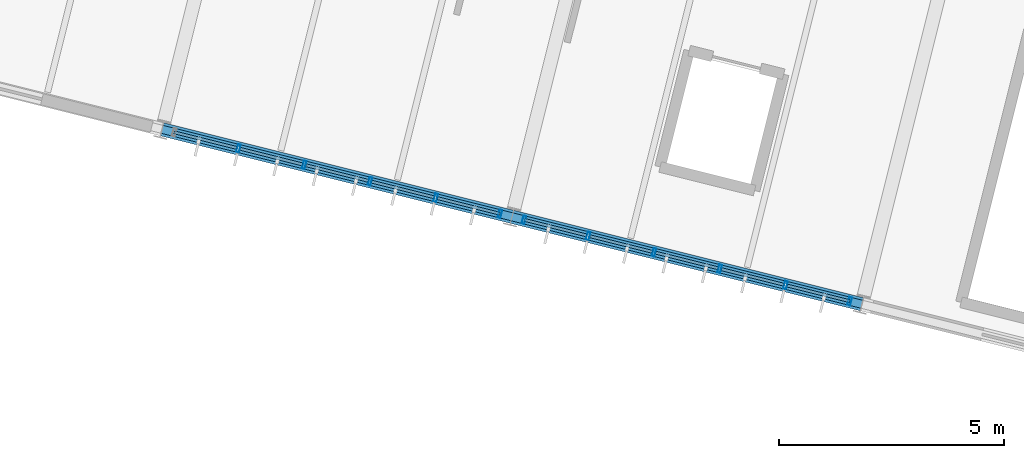
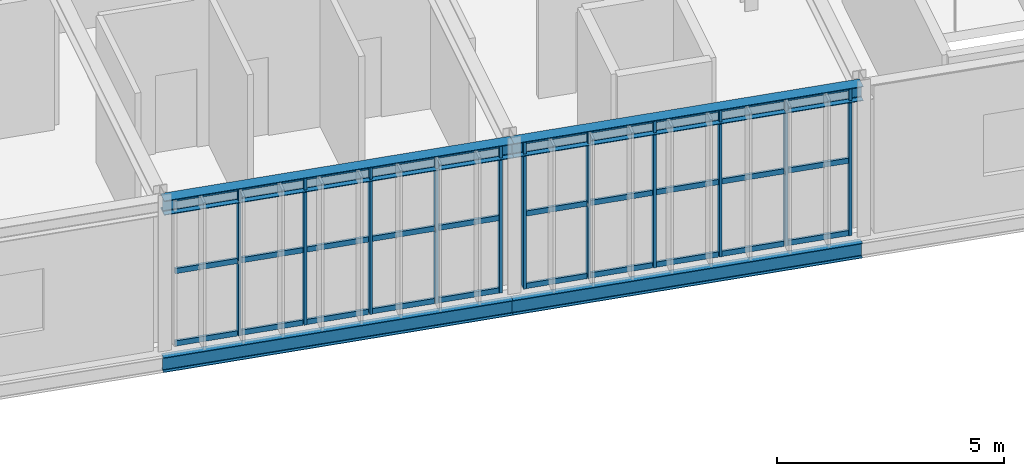
# One storey, part 8 of 30: 41 members, 4 beams, 2 elements without a shape of their own.
"""IFC4 building model written with IfcOpenShell, lengths in metres."""

from ifc_helpers import new_model, si_unit, derived_unit, direction, frame, origin, origin_2d, place, context, subcontext, project, spatial, hollow_rectangle, i_section, extrude, material, material_profile, profile_set, type_object, element, aggregate, save


model = new_model("IFC4")

# Units and contexts
model_context = context("Model", 3, precision=1e-05, world=origin(), true_north=direction((0.0, 1.0)))
body_context = subcontext(model_context, "Body", "Model", "MODEL_VIEW")
ifc_project = project(units=[si_unit("LENGTHUNIT", "METRE"), si_unit("AREAUNIT", "SQUARE_METRE"), si_unit("VOLUMEUNIT", "CUBIC_METRE"), si_unit("PLANEANGLEUNIT", "RADIAN"), si_unit("MASSUNIT", "GRAM", prefix="KILO"), si_unit("THERMODYNAMICTEMPERATUREUNIT", "KELVIN"), si_unit("TIMEUNIT", "SECOND"), derived_unit("THERMALTRANSMITTANCEUNIT", [(si_unit("MASSUNIT", "GRAM", prefix="KILO"), 1), (si_unit("THERMODYNAMICTEMPERATUREUNIT", "KELVIN"), -1), (si_unit("TIMEUNIT", "SECOND"), -3)])], contexts=[model_context])

# Site, building, storey
site_placement = place(None, origin())
site = spatial("IfcSite", under=ifc_project, at=site_placement, CompositionType="ELEMENT")
building_placement = place(site_placement, origin())
building = spatial("IfcBuilding", under=site, at=building_placement, Name="Cambertide Market Hall", CompositionType="ELEMENT")
storey_placement = place(building_placement, frame((0.0, 0.0, 14.10009765625)))
storey = spatial("IfcBuildingStorey", under=building, at=storey_placement, Name="L04", CompositionType="ELEMENT", Elevation=14.10009765625)

# Curtain wall, members
ifc_material_1 = material(Name="Marine Anodized Aluminium 6063-T6 AA25", Category="aluminium")
curtain_wall_type = type_object("IfcCurtainWallType", Name="Herb Conservatory Crown Curtain Wall", PredefinedType="USERDEFINED", material=ifc_material_1)
curtain_wall_1_placement = place(storey_placement, origin())
curtain_wall_1 = element("IfcCurtainWall", 1, at=curtain_wall_1_placement, inside=storey, type_object=curtain_wall_type, Name="Level 4 Curtain Wall CW-V4S-L04-5", ObjectType="UNITIZED CURTAIN WALL", PredefinedType="USERDEFINED")
ifc_material_2 = material(Name="Champagne Marine Anodized Aluminium 6063-T6 AA25", Category="aluminium")
ifc_material_profile_1 = material_profile(ifc_material_2, hollow_rectangle(XDim=0.06494140625, YDim=0.179931640625, WallThickness=0.00390625, at=origin_2d()), Name="ALU MULLION 65x180")
ifc_profile_set_1 = profile_set([ifc_material_profile_1], Name="Champagne Marine Anodized Aluminium 6063-T6 AA25")
member_type_1 = type_object("IfcMemberType", Name="Curtain Wall Mullion ALU MULLION 65x180", PredefinedType="MULLION", material=ifc_profile_set_1)
member_1_placement = place(storey_placement, frame((146.538818359375, 90.365234375, 0.0), z_axis=(0.0, 0.0, 1.0), x_axis=(-0.970142531436, 0.242535499875, 0.0)))
member_1 = element("IfcMember", 2, at=member_1_placement, type_object=member_type_1, Name="CW-V4S-L04-5 Mullion 1", PredefinedType="MULLION", context=body_context, shape_type="SweptSolid", body=[
    extrude(hollow_rectangle(XDim=0.06494140625, YDim=0.179931640625, WallThickness=0.00390625, at=origin_2d()), origin(), (0.0, 0.0, 1.0), 3.9599609375),
])
member_2_placement = place(storey_placement, frame((145.11376953125, 90.721435546875, 0.0), z_axis=(0.0, 0.0, 1.0), x_axis=(-0.970142531436, 0.242535499875, 0.0)))
member_2 = element("IfcMember", 3, at=member_2_placement, type_object=member_type_1, Name="CW-V4S-L04-5 Mullion 2", PredefinedType="MULLION", context=body_context, shape_type="SweptSolid", body=[
    extrude(hollow_rectangle(XDim=0.06494140625, YDim=0.179931640625, WallThickness=0.00390625, at=origin_2d()), origin(), (0.0, 0.0, 1.0), 3.9599609375),
])
member_3_placement = place(storey_placement, frame((143.65478515625, 91.08642578125, 0.0), z_axis=(0.0, 0.0, 1.0), x_axis=(-0.970142531436, 0.242535499875, 0.0)))
member_3 = element("IfcMember", 4, at=member_3_placement, type_object=member_type_1, Name="CW-V4S-L04-5 Mullion 3", PredefinedType="MULLION", context=body_context, shape_type="SweptSolid", body=[
    extrude(hollow_rectangle(XDim=0.06494140625, YDim=0.179931640625, WallThickness=0.00390625, at=origin_2d()), origin(), (0.0, 0.0, 1.0), 3.9599609375),
])
member_4_placement = place(storey_placement, frame((142.195556640625, 91.451171875, 0.0), z_axis=(0.0, 0.0, 1.0), x_axis=(-0.970142531436, 0.242535499875, 0.0)))
member_4 = element("IfcMember", 5, at=member_4_placement, type_object=member_type_1, Name="CW-V4S-L04-5 Mullion 4", PredefinedType="MULLION", context=body_context, shape_type="SweptSolid", body=[
    extrude(hollow_rectangle(XDim=0.06494140625, YDim=0.179931640625, WallThickness=0.00390625, at=origin_2d()), origin(), (0.0, 0.0, 1.0), 3.9599609375),
])
member_5_placement = place(storey_placement, frame((140.736572265625, 91.81591796875, 0.0), z_axis=(0.0, 0.0, 1.0), x_axis=(-0.970142531436, 0.242535499875, 0.0)))
member_5 = element("IfcMember", 6, at=member_5_placement, type_object=member_type_1, Name="CW-V4S-L04-5 Mullion 5", PredefinedType="MULLION", context=body_context, shape_type="SweptSolid", body=[
    extrude(hollow_rectangle(XDim=0.06494140625, YDim=0.179931640625, WallThickness=0.00390625, at=origin_2d()), origin(), (0.0, 0.0, 1.0), 3.9599609375),
])

curtain_wall_2_placement = place(storey_placement, origin())
curtain_wall_2 = element("IfcCurtainWall", 7, at=curtain_wall_2_placement, inside=storey, type_object=curtain_wall_type, Name="Level 4 Curtain Wall CW-V4S-L04-6", ObjectType="UNITIZED CURTAIN WALL", PredefinedType="USERDEFINED")
member_6_placement = place(storey_placement, frame((154.300048828125, 88.425048828125, 0.0), z_axis=(0.0, 0.0, 1.0), x_axis=(-0.970142531436, 0.242535499875, 0.0)))
member_6 = element("IfcMember", 8, at=member_6_placement, type_object=member_type_1, Name="CW-V4S-L04-6 Mullion 1", PredefinedType="MULLION", context=body_context, shape_type="SweptSolid", body=[
    extrude(hollow_rectangle(XDim=0.06494140625, YDim=0.179931640625, WallThickness=0.00390625, at=origin_2d()), origin(), (0.0, 0.0, 1.0), 3.9599609375),
])
member_7_placement = place(storey_placement, frame((152.875, 88.78125, 0.0), z_axis=(0.0, 0.0, 1.0), x_axis=(-0.970142531436, 0.242535499875, 0.0)))
member_7 = element("IfcMember", 9, at=member_7_placement, type_object=member_type_1, Name="CW-V4S-L04-6 Mullion 2", PredefinedType="MULLION", context=body_context, shape_type="SweptSolid", body=[
    extrude(hollow_rectangle(XDim=0.06494140625, YDim=0.179931640625, WallThickness=0.00390625, at=origin_2d()), origin(), (0.0, 0.0, 1.0), 3.9599609375),
])
member_8_placement = place(storey_placement, frame((151.415771484375, 89.14599609375, 0.0), z_axis=(0.0, 0.0, 1.0), x_axis=(-0.970142531436, 0.242535499875, 0.0)))
member_8 = element("IfcMember", 10, at=member_8_placement, type_object=member_type_1, Name="CW-V4S-L04-6 Mullion 3", PredefinedType="MULLION", context=body_context, shape_type="SweptSolid", body=[
    extrude(hollow_rectangle(XDim=0.06494140625, YDim=0.179931640625, WallThickness=0.00390625, at=origin_2d()), origin(), (0.0, 0.0, 1.0), 3.9599609375),
])
member_9_placement = place(storey_placement, frame((149.956787109375, 89.5107421875, 0.0), z_axis=(0.0, 0.0, 1.0), x_axis=(-0.970142531436, 0.242535499875, 0.0)))
member_9 = element("IfcMember", 11, at=member_9_placement, type_object=member_type_1, Name="CW-V4S-L04-6 Mullion 4", PredefinedType="MULLION", context=body_context, shape_type="SweptSolid", body=[
    extrude(hollow_rectangle(XDim=0.06494140625, YDim=0.179931640625, WallThickness=0.00390625, at=origin_2d()), origin(), (0.0, 0.0, 1.0), 3.9599609375),
])
member_10_placement = place(storey_placement, frame((148.49755859375, 89.87548828125, 0.0), z_axis=(0.0, 0.0, 1.0), x_axis=(-0.970142531436, 0.242535499875, 0.0)))
member_10 = element("IfcMember", 12, at=member_10_placement, type_object=member_type_1, Name="CW-V4S-L04-6 Mullion 5", PredefinedType="MULLION", context=body_context, shape_type="SweptSolid", body=[
    extrude(hollow_rectangle(XDim=0.06494140625, YDim=0.179931640625, WallThickness=0.00390625, at=origin_2d()), origin(), (0.0, 0.0, 1.0), 3.9599609375),
])
member_11_placement = place(storey_placement, frame((147.072509765625, 90.23193359375, 0.0), z_axis=(0.0, 0.0, 1.0), x_axis=(-0.970142531436, 0.242535499875, 0.0)))
member_11 = element("IfcMember", 13, at=member_11_placement, type_object=member_type_1, Name="CW-V4S-L04-6 Mullion 6", PredefinedType="MULLION", context=body_context, shape_type="SweptSolid", body=[
    extrude(hollow_rectangle(XDim=0.06494140625, YDim=0.179931640625, WallThickness=0.00390625, at=origin_2d()), origin(), (0.0, 0.0, 1.0), 3.9599609375),
])

# Member
ifc_material_3 = material(Name="Champagne Marine Anodized Aluminium 6063-T6 AA25", Category="aluminium")
ifc_material_profile_2 = material_profile(ifc_material_3, hollow_rectangle(XDim=0.06494140625, YDim=0.139892578125, WallThickness=0.00341796875, at=origin_2d()), Name="ALU TRANSOM 65x140")
ifc_profile_set_2 = profile_set([ifc_material_profile_2], Name="Champagne Marine Anodized Aluminium 6063-T6 AA25")
member_type_2 = type_object("IfcMemberType", Name="Curtain Wall Transom ALU TRANSOM 65x140", PredefinedType="USERDEFINED", material=ifc_profile_set_2)
member_12_placement = place(storey_placement, frame((146.5341796875, 90.366455078125, 0.034912109375), z_axis=(-0.970132415085, 0.242575961715, 0.0), x_axis=(-0.242575961715, -0.970132415085, 0.0)))
member_12 = element("IfcMember", 14, at=member_12_placement, type_object=member_type_2, Name="CW-V4S-L04-5 Transom 1-1", ObjectType="TRANSOM", PredefinedType="USERDEFINED", context=body_context, shape_type="SweptSolid", body=[
    extrude(hollow_rectangle(XDim=0.06494140625, YDim=0.139892578125, WallThickness=0.00341796875, at=origin_2d()), origin(), (0.0, 0.0, 1.0), 1.424072265625),
])

member_13_placement = place(storey_placement, frame((145.074951171875, 90.731201171875, 0.034912109375), z_axis=(-0.970122324991, 0.242616311393, 0.0), x_axis=(-0.242616311393, -0.970122324991, 0.0)))
member_13 = element("IfcMember", 15, at=member_13_placement, type_object=member_type_2, Name="CW-V4S-L04-5 Transom 1-2", ObjectType="TRANSOM", PredefinedType="USERDEFINED", context=body_context, shape_type="SweptSolid", body=[
    extrude(hollow_rectangle(XDim=0.06494140625, YDim=0.139892578125, WallThickness=0.00341796875, at=origin_2d()), origin(), (0.0, 0.0, 1.0), 1.423828125),
])

member_14_placement = place(storey_placement, frame((143.615966796875, 91.095947265625, 0.034912109375), z_axis=(-0.970132415085, 0.242575961715, 0.0), x_axis=(-0.242575961715, -0.970132415085, 0.0)))
member_14 = element("IfcMember", 16, at=member_14_placement, type_object=member_type_2, Name="CW-V4S-L04-5 Transom 1-3", ObjectType="TRANSOM", PredefinedType="USERDEFINED", context=body_context, shape_type="SweptSolid", body=[
    extrude(hollow_rectangle(XDim=0.06494140625, YDim=0.139892578125, WallThickness=0.00341796875, at=origin_2d()), origin(), (0.0, 0.0, 1.0), 1.424072265625),
])

member_15_placement = place(storey_placement, frame((142.15673828125, 91.460693359375, 0.034912109375), z_axis=(-0.970122324991, 0.242616311393, 0.0), x_axis=(-0.242616311393, -0.970122324991, 0.0)))
member_15 = element("IfcMember", 17, at=member_15_placement, type_object=member_type_2, Name="CW-V4S-L04-5 Transom 1-4", ObjectType="TRANSOM", PredefinedType="USERDEFINED", context=body_context, shape_type="SweptSolid", body=[
    extrude(hollow_rectangle(XDim=0.06494140625, YDim=0.139892578125, WallThickness=0.00341796875, at=origin_2d()), origin(), (0.0, 0.0, 1.0), 1.423828125),
])

member_16_placement = place(storey_placement, frame((140.69775390625, 91.82568359375, 0.034912109375), z_axis=(-0.970172746521, 0.242414607454, 0.0), x_axis=(-0.242414607454, -0.970172746521, 0.0)))
member_16 = element("IfcMember", 18, at=member_16_placement, type_object=member_type_2, Name="CW-V4S-L04-5 Transom 1-5", ObjectType="TRANSOM", PredefinedType="USERDEFINED", context=body_context, shape_type="SweptSolid", body=[
    extrude(hollow_rectangle(XDim=0.06494140625, YDim=0.139892578125, WallThickness=0.00341796875, at=origin_2d()), origin(), (0.0, 0.0, 1.0), 1.424072265625),
])

member_17_placement = place(storey_placement, frame((146.5341796875, 90.366455078125, 1.97998046875), z_axis=(-0.970132415085, 0.242575961715, 0.0), x_axis=(-0.242575961715, -0.970132415085, 0.0)))
member_17 = element("IfcMember", 19, at=member_17_placement, type_object=member_type_2, Name="CW-V4S-L04-5 Transom 2-1", ObjectType="TRANSOM", PredefinedType="USERDEFINED", context=body_context, shape_type="SweptSolid", body=[
    extrude(hollow_rectangle(XDim=0.06494140625, YDim=0.139892578125, WallThickness=0.00341796875, at=origin_2d()), origin(), (0.0, 0.0, 1.0), 1.424072265625),
])

member_18_placement = place(storey_placement, frame((145.074951171875, 90.731201171875, 1.97998046875), z_axis=(-0.970122324991, 0.242616311393, 0.0), x_axis=(-0.242616311393, -0.970122324991, 0.0)))
member_18 = element("IfcMember", 20, at=member_18_placement, type_object=member_type_2, Name="CW-V4S-L04-5 Transom 2-2", ObjectType="TRANSOM", PredefinedType="USERDEFINED", context=body_context, shape_type="SweptSolid", body=[
    extrude(hollow_rectangle(XDim=0.06494140625, YDim=0.139892578125, WallThickness=0.00341796875, at=origin_2d()), origin(), (0.0, 0.0, 1.0), 1.423828125),
])

member_19_placement = place(storey_placement, frame((143.615966796875, 91.095947265625, 1.97998046875), z_axis=(-0.970132415085, 0.242575961715, 0.0), x_axis=(-0.242575961715, -0.970132415085, 0.0)))
member_19 = element("IfcMember", 21, at=member_19_placement, type_object=member_type_2, Name="CW-V4S-L04-5 Transom 2-3", ObjectType="TRANSOM", PredefinedType="USERDEFINED", context=body_context, shape_type="SweptSolid", body=[
    extrude(hollow_rectangle(XDim=0.06494140625, YDim=0.139892578125, WallThickness=0.00341796875, at=origin_2d()), origin(), (0.0, 0.0, 1.0), 1.424072265625),
])

member_20_placement = place(storey_placement, frame((142.15673828125, 91.460693359375, 1.97998046875), z_axis=(-0.970122324991, 0.242616311393, 0.0), x_axis=(-0.242616311393, -0.970122324991, 0.0)))
member_20 = element("IfcMember", 22, at=member_20_placement, type_object=member_type_2, Name="CW-V4S-L04-5 Transom 2-4", ObjectType="TRANSOM", PredefinedType="USERDEFINED", context=body_context, shape_type="SweptSolid", body=[
    extrude(hollow_rectangle(XDim=0.06494140625, YDim=0.139892578125, WallThickness=0.00341796875, at=origin_2d()), origin(), (0.0, 0.0, 1.0), 1.423828125),
])

member_21_placement = place(storey_placement, frame((140.69775390625, 91.82568359375, 1.97998046875), z_axis=(-0.970172746521, 0.242414607454, 0.0), x_axis=(-0.242414607454, -0.970172746521, 0.0)))
member_21 = element("IfcMember", 23, at=member_21_placement, type_object=member_type_2, Name="CW-V4S-L04-5 Transom 2-5", ObjectType="TRANSOM", PredefinedType="USERDEFINED", context=body_context, shape_type="SweptSolid", body=[
    extrude(hollow_rectangle(XDim=0.06494140625, YDim=0.139892578125, WallThickness=0.00341796875, at=origin_2d()), origin(), (0.0, 0.0, 1.0), 1.424072265625),
])

member_22_placement = place(storey_placement, frame((146.5341796875, 90.366455078125, 3.9248046875), z_axis=(-0.970132415085, 0.242575961715, 0.0), x_axis=(-0.242575961715, -0.970132415085, 0.0)))
member_22 = element("IfcMember", 24, at=member_22_placement, type_object=member_type_2, Name="CW-V4S-L04-5 Transom 3-1", ObjectType="TRANSOM", PredefinedType="USERDEFINED", context=body_context, shape_type="SweptSolid", body=[
    extrude(hollow_rectangle(XDim=0.06494140625, YDim=0.139892578125, WallThickness=0.00341796875, at=origin_2d()), origin(), (0.0, 0.0, 1.0), 1.424072265625),
])

member_23_placement = place(storey_placement, frame((145.074951171875, 90.731201171875, 3.9248046875), z_axis=(-0.970122324991, 0.242616311393, 0.0), x_axis=(-0.242616311393, -0.970122324991, 0.0)))
member_23 = element("IfcMember", 25, at=member_23_placement, type_object=member_type_2, Name="CW-V4S-L04-5 Transom 3-2", ObjectType="TRANSOM", PredefinedType="USERDEFINED", context=body_context, shape_type="SweptSolid", body=[
    extrude(hollow_rectangle(XDim=0.06494140625, YDim=0.139892578125, WallThickness=0.00341796875, at=origin_2d()), origin(), (0.0, 0.0, 1.0), 1.423828125),
])

member_24_placement = place(storey_placement, frame((143.615966796875, 91.095947265625, 3.9248046875), z_axis=(-0.970132415085, 0.242575961715, 0.0), x_axis=(-0.242575961715, -0.970132415085, 0.0)))
member_24 = element("IfcMember", 26, at=member_24_placement, type_object=member_type_2, Name="CW-V4S-L04-5 Transom 3-3", ObjectType="TRANSOM", PredefinedType="USERDEFINED", context=body_context, shape_type="SweptSolid", body=[
    extrude(hollow_rectangle(XDim=0.06494140625, YDim=0.139892578125, WallThickness=0.00341796875, at=origin_2d()), origin(), (0.0, 0.0, 1.0), 1.424072265625),
])

member_25_placement = place(storey_placement, frame((142.15673828125, 91.460693359375, 3.9248046875), z_axis=(-0.970122324991, 0.242616311393, 0.0), x_axis=(-0.242616311393, -0.970122324991, 0.0)))
member_25 = element("IfcMember", 27, at=member_25_placement, type_object=member_type_2, Name="CW-V4S-L04-5 Transom 3-4", ObjectType="TRANSOM", PredefinedType="USERDEFINED", context=body_context, shape_type="SweptSolid", body=[
    extrude(hollow_rectangle(XDim=0.06494140625, YDim=0.139892578125, WallThickness=0.00341796875, at=origin_2d()), origin(), (0.0, 0.0, 1.0), 1.423828125),
])

member_26_placement = place(storey_placement, frame((140.69775390625, 91.82568359375, 3.9248046875), z_axis=(-0.970172746521, 0.242414607454, 0.0), x_axis=(-0.242414607454, -0.970172746521, 0.0)))
member_26 = element("IfcMember", 28, at=member_26_placement, type_object=member_type_2, Name="CW-V4S-L04-5 Transom 3-5", ObjectType="TRANSOM", PredefinedType="USERDEFINED", context=body_context, shape_type="SweptSolid", body=[
    extrude(hollow_rectangle(XDim=0.06494140625, YDim=0.139892578125, WallThickness=0.00341796875, at=origin_2d()), origin(), (0.0, 0.0, 1.0), 1.424072265625),
])

aggregate(curtain_wall_1, [member_1, member_2, member_3, member_4, member_5, member_12, member_13, member_14, member_15, member_16, member_17, member_18, member_19, member_20, member_21, member_22, member_23, member_24, member_25, member_26])

member_27_placement = place(storey_placement, frame((154.295166015625, 88.42626953125, 0.034912109375), z_axis=(-0.970162669427, 0.242454933646, 0.0), x_axis=(-0.242454933646, -0.970162669427, 0.0)))
member_27 = element("IfcMember", 29, at=member_27_placement, type_object=member_type_2, Name="CW-V4S-L04-6 Transom 1-1", ObjectType="TRANSOM", PredefinedType="USERDEFINED", context=body_context, shape_type="SweptSolid", body=[
    extrude(hollow_rectangle(XDim=0.06494140625, YDim=0.139892578125, WallThickness=0.00341796875, at=origin_2d()), origin(), (0.0, 0.0, 1.0), 1.423828125),
])

member_28_placement = place(storey_placement, frame((152.836181640625, 88.791015625, 0.034912109375), z_axis=(-0.970172746521, 0.242414607454, 0.0), x_axis=(-0.242414607454, -0.970172746521, 0.0)))
member_28 = element("IfcMember", 30, at=member_28_placement, type_object=member_type_2, Name="CW-V4S-L04-6 Transom 1-2", ObjectType="TRANSOM", PredefinedType="USERDEFINED", context=body_context, shape_type="SweptSolid", body=[
    extrude(hollow_rectangle(XDim=0.06494140625, YDim=0.139892578125, WallThickness=0.00341796875, at=origin_2d()), origin(), (0.0, 0.0, 1.0), 1.424072265625),
])

member_29_placement = place(storey_placement, frame((151.376953125, 89.15576171875, 0.034912109375), z_axis=(-0.970122324991, 0.242616311393, 0.0), x_axis=(-0.242616311393, -0.970122324991, 0.0)))
member_29 = element("IfcMember", 31, at=member_29_placement, type_object=member_type_2, Name="CW-V4S-L04-6 Transom 1-3", ObjectType="TRANSOM", PredefinedType="USERDEFINED", context=body_context, shape_type="SweptSolid", body=[
    extrude(hollow_rectangle(XDim=0.06494140625, YDim=0.139892578125, WallThickness=0.00341796875, at=origin_2d()), origin(), (0.0, 0.0, 1.0), 1.423828125),
])

member_30_placement = place(storey_placement, frame((149.91796875, 89.5205078125, 0.034912109375), z_axis=(-0.970132415085, 0.242575961715, 0.0), x_axis=(-0.242575961715, -0.970132415085, 0.0)))
member_30 = element("IfcMember", 32, at=member_30_placement, type_object=member_type_2, Name="CW-V4S-L04-6 Transom 1-4", ObjectType="TRANSOM", PredefinedType="USERDEFINED", context=body_context, shape_type="SweptSolid", body=[
    extrude(hollow_rectangle(XDim=0.06494140625, YDim=0.139892578125, WallThickness=0.00341796875, at=origin_2d()), origin(), (0.0, 0.0, 1.0), 1.424072265625),
])

member_31_placement = place(storey_placement, frame((148.458740234375, 89.88525390625, 0.034912109375), z_axis=(-0.970122324991, 0.242616311393, 0.0), x_axis=(-0.242616311393, -0.970122324991, 0.0)))
member_31 = element("IfcMember", 33, at=member_31_placement, type_object=member_type_2, Name="CW-V4S-L04-6 Transom 1-5", ObjectType="TRANSOM", PredefinedType="USERDEFINED", context=body_context, shape_type="SweptSolid", body=[
    extrude(hollow_rectangle(XDim=0.06494140625, YDim=0.139892578125, WallThickness=0.00341796875, at=origin_2d()), origin(), (0.0, 0.0, 1.0), 1.423828125),
])

member_32_placement = place(storey_placement, frame((154.295166015625, 88.42626953125, 1.97998046875), z_axis=(-0.970162669427, 0.242454933646, 0.0), x_axis=(-0.242454933646, -0.970162669427, 0.0)))
member_32 = element("IfcMember", 34, at=member_32_placement, type_object=member_type_2, Name="CW-V4S-L04-6 Transom 2-1", ObjectType="TRANSOM", PredefinedType="USERDEFINED", context=body_context, shape_type="SweptSolid", body=[
    extrude(hollow_rectangle(XDim=0.06494140625, YDim=0.139892578125, WallThickness=0.00341796875, at=origin_2d()), origin(), (0.0, 0.0, 1.0), 1.423828125),
])

member_33_placement = place(storey_placement, frame((152.836181640625, 88.791015625, 1.97998046875), z_axis=(-0.970172746521, 0.242414607454, 0.0), x_axis=(-0.242414607454, -0.970172746521, 0.0)))
member_33 = element("IfcMember", 35, at=member_33_placement, type_object=member_type_2, Name="CW-V4S-L04-6 Transom 2-2", ObjectType="TRANSOM", PredefinedType="USERDEFINED", context=body_context, shape_type="SweptSolid", body=[
    extrude(hollow_rectangle(XDim=0.06494140625, YDim=0.139892578125, WallThickness=0.00341796875, at=origin_2d()), origin(), (0.0, 0.0, 1.0), 1.424072265625),
])

member_34_placement = place(storey_placement, frame((151.376953125, 89.15576171875, 1.97998046875), z_axis=(-0.970122324991, 0.242616311393, 0.0), x_axis=(-0.242616311393, -0.970122324991, 0.0)))
member_34 = element("IfcMember", 36, at=member_34_placement, type_object=member_type_2, Name="CW-V4S-L04-6 Transom 2-3", ObjectType="TRANSOM", PredefinedType="USERDEFINED", context=body_context, shape_type="SweptSolid", body=[
    extrude(hollow_rectangle(XDim=0.06494140625, YDim=0.139892578125, WallThickness=0.00341796875, at=origin_2d()), origin(), (0.0, 0.0, 1.0), 1.423828125),
])

member_35_placement = place(storey_placement, frame((149.91796875, 89.5205078125, 1.97998046875), z_axis=(-0.970132415085, 0.242575961715, 0.0), x_axis=(-0.242575961715, -0.970132415085, 0.0)))
member_35 = element("IfcMember", 37, at=member_35_placement, type_object=member_type_2, Name="CW-V4S-L04-6 Transom 2-4", ObjectType="TRANSOM", PredefinedType="USERDEFINED", context=body_context, shape_type="SweptSolid", body=[
    extrude(hollow_rectangle(XDim=0.06494140625, YDim=0.139892578125, WallThickness=0.00341796875, at=origin_2d()), origin(), (0.0, 0.0, 1.0), 1.424072265625),
])

member_36_placement = place(storey_placement, frame((148.458740234375, 89.88525390625, 1.97998046875), z_axis=(-0.970122324991, 0.242616311393, 0.0), x_axis=(-0.242616311393, -0.970122324991, 0.0)))
member_36 = element("IfcMember", 38, at=member_36_placement, type_object=member_type_2, Name="CW-V4S-L04-6 Transom 2-5", ObjectType="TRANSOM", PredefinedType="USERDEFINED", context=body_context, shape_type="SweptSolid", body=[
    extrude(hollow_rectangle(XDim=0.06494140625, YDim=0.139892578125, WallThickness=0.00341796875, at=origin_2d()), origin(), (0.0, 0.0, 1.0), 1.423828125),
])

member_37_placement = place(storey_placement, frame((154.295166015625, 88.42626953125, 3.9248046875), z_axis=(-0.970162669427, 0.242454933646, 0.0), x_axis=(-0.242454933646, -0.970162669427, 0.0)))
member_37 = element("IfcMember", 39, at=member_37_placement, type_object=member_type_2, Name="CW-V4S-L04-6 Transom 3-1", ObjectType="TRANSOM", PredefinedType="USERDEFINED", context=body_context, shape_type="SweptSolid", body=[
    extrude(hollow_rectangle(XDim=0.06494140625, YDim=0.139892578125, WallThickness=0.00341796875, at=origin_2d()), origin(), (0.0, 0.0, 1.0), 1.423828125),
])

member_38_placement = place(storey_placement, frame((152.836181640625, 88.791015625, 3.9248046875), z_axis=(-0.970172746521, 0.242414607454, 0.0), x_axis=(-0.242414607454, -0.970172746521, 0.0)))
member_38 = element("IfcMember", 40, at=member_38_placement, type_object=member_type_2, Name="CW-V4S-L04-6 Transom 3-2", ObjectType="TRANSOM", PredefinedType="USERDEFINED", context=body_context, shape_type="SweptSolid", body=[
    extrude(hollow_rectangle(XDim=0.06494140625, YDim=0.139892578125, WallThickness=0.00341796875, at=origin_2d()), origin(), (0.0, 0.0, 1.0), 1.424072265625),
])

member_39_placement = place(storey_placement, frame((151.376953125, 89.15576171875, 3.9248046875), z_axis=(-0.970122324991, 0.242616311393, 0.0), x_axis=(-0.242616311393, -0.970122324991, 0.0)))
member_39 = element("IfcMember", 41, at=member_39_placement, type_object=member_type_2, Name="CW-V4S-L04-6 Transom 3-3", ObjectType="TRANSOM", PredefinedType="USERDEFINED", context=body_context, shape_type="SweptSolid", body=[
    extrude(hollow_rectangle(XDim=0.06494140625, YDim=0.139892578125, WallThickness=0.00341796875, at=origin_2d()), origin(), (0.0, 0.0, 1.0), 1.423828125),
])

member_40_placement = place(storey_placement, frame((149.91796875, 89.5205078125, 3.9248046875), z_axis=(-0.970132415085, 0.242575961715, 0.0), x_axis=(-0.242575961715, -0.970132415085, 0.0)))
member_40 = element("IfcMember", 42, at=member_40_placement, type_object=member_type_2, Name="CW-V4S-L04-6 Transom 3-4", ObjectType="TRANSOM", PredefinedType="USERDEFINED", context=body_context, shape_type="SweptSolid", body=[
    extrude(hollow_rectangle(XDim=0.06494140625, YDim=0.139892578125, WallThickness=0.00341796875, at=origin_2d()), origin(), (0.0, 0.0, 1.0), 1.424072265625),
])

member_41_placement = place(storey_placement, frame((148.458740234375, 89.88525390625, 3.9248046875), z_axis=(-0.970122324991, 0.242616311393, 0.0), x_axis=(-0.242616311393, -0.970122324991, 0.0)))
member_41 = element("IfcMember", 43, at=member_41_placement, type_object=member_type_2, Name="CW-V4S-L04-6 Transom 3-5", ObjectType="TRANSOM", PredefinedType="USERDEFINED", context=body_context, shape_type="SweptSolid", body=[
    extrude(hollow_rectangle(XDim=0.06494140625, YDim=0.139892578125, WallThickness=0.00341796875, at=origin_2d()), origin(), (0.0, 0.0, 1.0), 1.423828125),
])

aggregate(curtain_wall_2, [member_6, member_7, member_8, member_9, member_10, member_11, member_27, member_28, member_29, member_30, member_31, member_32, member_33, member_34, member_35, member_36, member_37, member_38, member_39, member_40, member_41])

# Beams
ifc_material_4 = material(Name="Steel S355", Category="steel")
ifc_material_profile_3 = material_profile(ifc_material_4, i_section(OverallWidth=0.300048828125, OverallDepth=0.389892578125, WebThickness=0.010986328125, FlangeThickness=0.01904296875, FilletRadius=0.027099609375, at=origin_2d()), Name="HEA 400")
ifc_profile_set_3 = profile_set([ifc_material_profile_3], Name="Steel S355")
beam_type_1 = type_object("IfcBeamType", Name="Exterior Steel Girder HEA 400", PredefinedType="BEAM", material=ifc_profile_set_3)
beam_1_placement = place(storey_placement, frame((139.044677734375, 92.23876953125, 3.804931640625), z_axis=(0.970144295309, -0.242528444268, 0.0), x_axis=(0.242528444268, 0.970144295309, 0.0)))
element("IfcBeam", 44, at=beam_1_placement, inside=storey, type_object=beam_type_1, Name="Level 4 Beam BM-V4U-RF-5-1", PredefinedType="BEAM", context=body_context, shape_type="SweptSolid", body=[
    extrude(i_section(OverallWidth=0.300048828125, OverallDepth=0.389892578125, WebThickness=0.010986328125, FlangeThickness=0.01904296875, FilletRadius=0.027099609375, at=origin_2d()), origin(), (0.0, 0.0, 1.0), 7.999755859375),
])
beam_2_placement = place(storey_placement, frame((146.8056640625, 90.298583984375, 3.804931640625), z_axis=(0.970146090314, -0.242521263911, 0.0), x_axis=(0.242521263911, 0.970146090314, 0.0)))
element("IfcBeam", 45, at=beam_2_placement, inside=storey, type_object=beam_type_1, Name="Level 4 Beam BM-V4U-RF-6-1", PredefinedType="BEAM", context=body_context, shape_type="SweptSolid", body=[
    extrude(i_section(OverallWidth=0.300048828125, OverallDepth=0.389892578125, WebThickness=0.010986328125, FlangeThickness=0.01904296875, FilletRadius=0.027099609375, at=origin_2d()), origin(), (0.0, 0.0, 1.0), 8.0),
])
ifc_material_5 = material(Name="Steel S355", Category="steel")
ifc_material_profile_4 = material_profile(ifc_material_5, i_section(OverallWidth=0.179931640625, OverallDepth=0.39990234375, WebThickness=0.008544921875, FlangeThickness=0.013427734375, FilletRadius=0.02099609375, at=origin_2d()), Name="IPE 400")
ifc_profile_set_4 = profile_set([ifc_material_profile_4], Name="Steel S355")
beam_type_2 = type_object("IfcBeamType", Name="Perimeter Spandrel Beam IPE 400", PredefinedType="SPANDREL", material=ifc_profile_set_4)
beam_3_placement = place(storey_placement, frame((139.044677734375, 92.23876953125, -0.455078125), z_axis=(0.970144295309, -0.242528444268, 0.0), x_axis=(0.242528444268, 0.970144295309, 0.0)))
element("IfcBeam", 46, at=beam_3_placement, inside=storey, type_object=beam_type_2, Name="Level 4 Spandrel BM-V4U-L04-5-1", PredefinedType="SPANDREL", context=body_context, shape_type="SweptSolid", body=[
    extrude(i_section(OverallWidth=0.179931640625, OverallDepth=0.39990234375, WebThickness=0.008544921875, FlangeThickness=0.013427734375, FilletRadius=0.02099609375, at=origin_2d()), origin(), (0.0, 0.0, 1.0), 7.999755859375),
])
beam_4_placement = place(storey_placement, frame((146.8056640625, 90.298583984375, -0.455078125), z_axis=(0.970146090314, -0.242521263911, 0.0), x_axis=(0.242521263911, 0.970146090314, 0.0)))
element("IfcBeam", 47, at=beam_4_placement, inside=storey, type_object=beam_type_2, Name="Level 4 Spandrel BM-V4U-L04-6-1", PredefinedType="SPANDREL", context=body_context, shape_type="SweptSolid", body=[
    extrude(i_section(OverallWidth=0.179931640625, OverallDepth=0.39990234375, WebThickness=0.008544921875, FlangeThickness=0.013427734375, FilletRadius=0.02099609375, at=origin_2d()), origin(), (0.0, 0.0, 1.0), 8.0),
])

save(model, "model.ifc")
